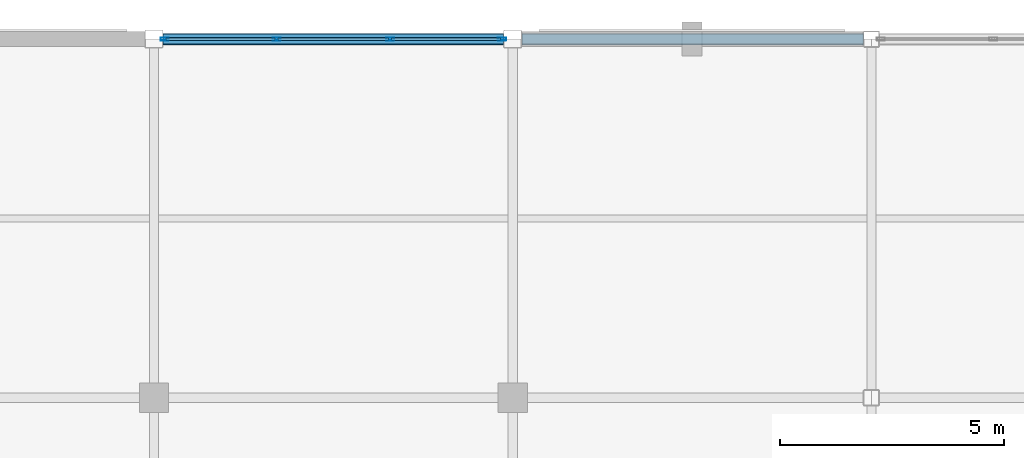
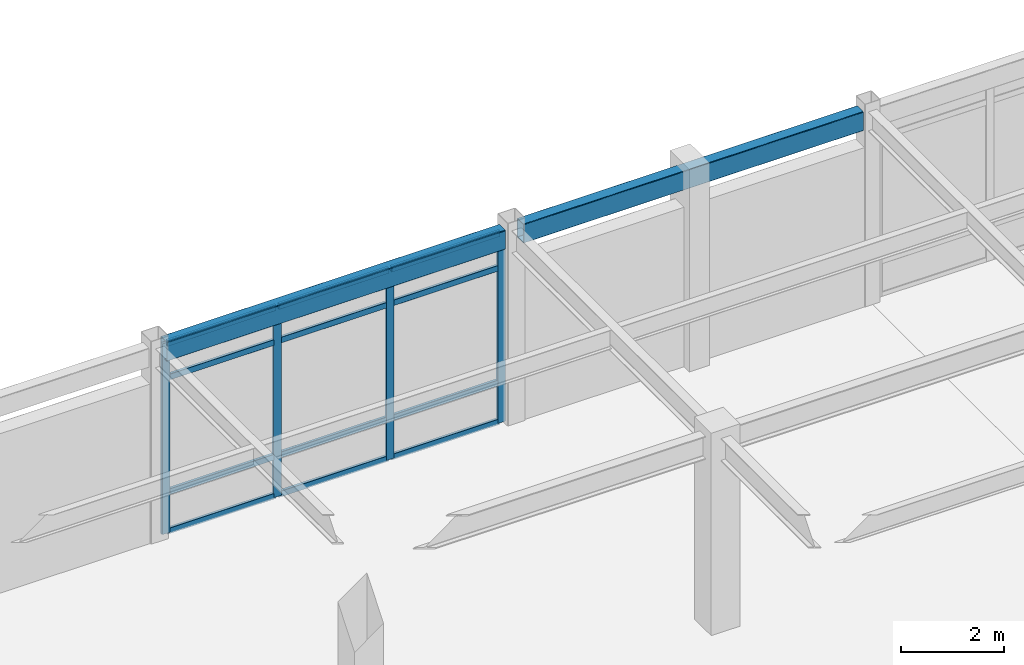
# One storey, part 65 of 117: 16 members, 2 beams, 1 element without a shape of its own.
"""IFC4 building model written with IfcOpenShell, lengths in metres."""

from ifc_helpers import new_model, si_unit, direction, frame, origin, origin_2d, place, context, subcontext, project, spatial, hollow_rectangle, extrude, material, material_profile, profile_set, type_object, element, aggregate, save


model = new_model("IFC4")

# Units and contexts
model_context = context("Model", 3, precision=1e-05, world=origin(), true_north=direction((0.0, 1.0)))
body_context = subcontext(model_context, "Body", "Model", "MODEL_VIEW")
ifc_project = project(units=[si_unit("LENGTHUNIT", "METRE"), si_unit("AREAUNIT", "SQUARE_METRE"), si_unit("VOLUMEUNIT", "CUBIC_METRE"), si_unit("PLANEANGLEUNIT", "RADIAN"), si_unit("MASSUNIT", "GRAM", prefix="KILO")], contexts=[model_context])

# Site, building, storey
site_placement = place(None, origin())
site = spatial("IfcSite", under=ifc_project, at=site_placement, CompositionType="ELEMENT")
building_placement = place(site_placement, origin())
building = spatial("IfcBuilding", under=site, at=building_placement, Name="Solmirada Galleria", CompositionType="ELEMENT")
storey_placement = place(building_placement, frame((0.0, 0.0, 5.60009765625)))
storey = spatial("IfcBuildingStorey", under=building, at=storey_placement, Name="L01", CompositionType="ELEMENT", Elevation=5.60009765625)

# Beams
ifc_material_1 = material(Name="Steel S355 / ASTM A500 Grade C", Category="steel")
ifc_material_profile_1 = material_profile(ifc_material_1, hollow_rectangle(XDim=0.25390625, YDim=0.45703125, WallThickness=0.01171875, InnerFilletRadius=0.01171875, OuterFilletRadius=0.023681640625, at=origin_2d()), Name="HSS18X10X1/2")
ifc_profile_set_1 = profile_set([ifc_material_profile_1], Name="Steel S355 / ASTM A500 Grade C")
beam_type = type_object("IfcBeamType", Name="BM-SPAND-W18", PredefinedType="SPANDREL", material=ifc_profile_set_1)
beam_1_placement = place(storey_placement, frame((104.202880859375, 120.0, 4.371337890625), z_axis=(1.0, 0.0, 0.0), x_axis=(0.0, 1.0, 0.0)))
element("IfcBeam", 1, at=beam_1_placement, inside=storey, type_object=beam_type, Name="Primary beam L02 X(104..112, 120)", PredefinedType="SPANDREL", context=body_context, shape_type="SweptSolid", body=[
    extrude(hollow_rectangle(XDim=0.25390625, YDim=0.45703125, WallThickness=0.01171875, InnerFilletRadius=0.01171875, OuterFilletRadius=0.023681640625, at=origin_2d()), origin(), (0.0, 0.0, 1.0), 7.59423828125),
])
beam_2_placement = place(storey_placement, frame((112.202880859375, 120.0, 4.371337890625), z_axis=(1.0, 0.0, 0.0), x_axis=(0.0, 1.0, 0.0)))
element("IfcBeam", 2, at=beam_2_placement, inside=storey, type_object=beam_type, Name="Primary beam L02 X(112..120, 120)", PredefinedType="SPANDREL", context=body_context, shape_type="SweptSolid", body=[
    extrude(hollow_rectangle(XDim=0.25390625, YDim=0.45703125, WallThickness=0.01171875, InnerFilletRadius=0.01171875, OuterFilletRadius=0.023681640625, at=origin_2d()), origin(), (0.0, 0.0, 1.0), 7.619140625),
])

# Curtain wall, members
ifc_material_2 = material(Name="Impact-resistant low-E double glazing", Category="glass")
curtain_wall_type = type_object("IfcCurtainWallType", Name="CW-FZ4-L01-B3-L076", PredefinedType="NOTDEFINED", material=ifc_material_2)
curtain_wall_placement = place(storey_placement, origin())
curtain_wall = element("IfcCurtainWall", 3, at=curtain_wall_placement, inside=storey, type_object=curtain_wall_type, Name="Terrace and arcade storefront CW-L01-055", PredefinedType="NOTDEFINED")
ifc_material_3 = material(Name="Anodised aluminium framing", Category="aluminium")
ifc_material_profile_2 = material_profile(ifc_material_3, hollow_rectangle(XDim=0.06494140625, YDim=0.179931640625, WallThickness=0.00390625, InnerFilletRadius=0.00390625, OuterFilletRadius=0.008056640625, at=origin_2d()), Name="ALU-MULL-180X65")
ifc_profile_set_2 = profile_set([ifc_material_profile_2], Name="Anodised aluminium framing")
member_type_1 = type_object("IfcMemberType", Name="CW-MULL-180", PredefinedType="MULLION", material=ifc_profile_set_2)
member_1_placement = place(storey_placement, frame((104.237548828125, 120.0, 0.0), z_axis=(0.0, 0.0, 1.0), x_axis=(0.0, 1.0, 0.0)))
member_1 = element("IfcMember", 4, at=member_1_placement, type_object=member_type_1, Name="CW14 mullion 1", PredefinedType="MULLION", context=body_context, shape_type="SweptSolid", body=[
    extrude(hollow_rectangle(XDim=0.06494140625, YDim=0.179931640625, WallThickness=0.00390625, InnerFilletRadius=0.00390625, OuterFilletRadius=0.008056640625, at=origin_2d()), origin(), (0.0, 0.0, 1.0), 4.52001953125),
])
member_2_placement = place(storey_placement, frame((106.735107421875, 120.0, 0.0), z_axis=(0.0, 0.0, 1.0), x_axis=(0.0, 1.0, 0.0)))
member_2 = element("IfcMember", 5, at=member_2_placement, type_object=member_type_1, Name="CW14 mullion 2", PredefinedType="MULLION", context=body_context, shape_type="SweptSolid", body=[
    extrude(hollow_rectangle(XDim=0.06494140625, YDim=0.179931640625, WallThickness=0.00390625, InnerFilletRadius=0.00390625, OuterFilletRadius=0.008056640625, at=origin_2d()), origin(), (0.0, 0.0, 1.0), 4.52001953125),
])
member_3_placement = place(storey_placement, frame((109.264892578125, 120.0, 0.0), z_axis=(0.0, 0.0, 1.0), x_axis=(0.0, 1.0, 0.0)))
member_3 = element("IfcMember", 6, at=member_3_placement, type_object=member_type_1, Name="CW14 mullion 3", PredefinedType="MULLION", context=body_context, shape_type="SweptSolid", body=[
    extrude(hollow_rectangle(XDim=0.06494140625, YDim=0.179931640625, WallThickness=0.00390625, InnerFilletRadius=0.00390625, OuterFilletRadius=0.008056640625, at=origin_2d()), origin(), (0.0, 0.0, 1.0), 4.52001953125),
])
member_4_placement = place(storey_placement, frame((111.762451171875, 120.0, 0.0), z_axis=(0.0, 0.0, 1.0), x_axis=(0.0, 1.0, 0.0)))
member_4 = element("IfcMember", 7, at=member_4_placement, type_object=member_type_1, Name="CW14 mullion 4", PredefinedType="MULLION", context=body_context, shape_type="SweptSolid", body=[
    extrude(hollow_rectangle(XDim=0.06494140625, YDim=0.179931640625, WallThickness=0.00390625, InnerFilletRadius=0.00390625, OuterFilletRadius=0.008056640625, at=origin_2d()), origin(), (0.0, 0.0, 1.0), 4.52001953125),
])
ifc_material_profile_3 = material_profile(ifc_material_3, hollow_rectangle(XDim=0.06494140625, YDim=0.139892578125, WallThickness=0.00341796875, InnerFilletRadius=0.00341796875, OuterFilletRadius=0.007080078125, at=origin_2d()), Name="ALU-TRAN-140X65")
ifc_profile_set_3 = profile_set([ifc_material_profile_3], Name="Anodised aluminium framing")
member_type_2 = type_object("IfcMemberType", Name="CW-TRAN-140", PredefinedType="USERDEFINED", material=ifc_profile_set_3)
member_5_placement = place(storey_placement, frame((104.27001953125, 120.0, 0.032470703125), z_axis=(1.0, 0.0, 0.0), x_axis=(0.0, 1.0, 0.0)))
member_5 = element("IfcMember", 8, at=member_5_placement, type_object=member_type_2, Name="CW14 transom 1.1", ObjectType="TRANSOM", PredefinedType="USERDEFINED", context=body_context, shape_type="SweptSolid", body=[
    extrude(hollow_rectangle(XDim=0.06494140625, YDim=0.139892578125, WallThickness=0.00341796875, InnerFilletRadius=0.00341796875, OuterFilletRadius=0.007080078125, at=origin_2d()), origin(), (0.0, 0.0, 1.0), 2.432373046875),
])
member_6_placement = place(storey_placement, frame((104.27001953125, 120.0, 0.9599609375), z_axis=(1.0, 0.0, 0.0), x_axis=(0.0, 1.0, 0.0)))
member_6 = element("IfcMember", 9, at=member_6_placement, type_object=member_type_2, Name="CW14 transom 1.2", ObjectType="TRANSOM", PredefinedType="USERDEFINED", context=body_context, shape_type="SweptSolid", body=[
    extrude(hollow_rectangle(XDim=0.06494140625, YDim=0.139892578125, WallThickness=0.00341796875, InnerFilletRadius=0.00341796875, OuterFilletRadius=0.007080078125, at=origin_2d()), origin(), (0.0, 0.0, 1.0), 2.432373046875),
])
member_7_placement = place(storey_placement, frame((104.27001953125, 120.0, 3.679931640625), z_axis=(1.0, 0.0, 0.0), x_axis=(0.0, 1.0, 0.0)))
member_7 = element("IfcMember", 10, at=member_7_placement, type_object=member_type_2, Name="CW14 transom 1.3", ObjectType="TRANSOM", PredefinedType="USERDEFINED", context=body_context, shape_type="SweptSolid", body=[
    extrude(hollow_rectangle(XDim=0.06494140625, YDim=0.139892578125, WallThickness=0.00341796875, InnerFilletRadius=0.00341796875, OuterFilletRadius=0.007080078125, at=origin_2d()), origin(), (0.0, 0.0, 1.0), 2.432373046875),
])
member_8_placement = place(storey_placement, frame((104.27001953125, 120.0, 4.4873046875), z_axis=(1.0, 0.0, 0.0), x_axis=(0.0, 1.0, 0.0)))
member_8 = element("IfcMember", 11, at=member_8_placement, type_object=member_type_2, Name="CW14 transom 1.4", ObjectType="TRANSOM", PredefinedType="USERDEFINED", context=body_context, shape_type="SweptSolid", body=[
    extrude(hollow_rectangle(XDim=0.06494140625, YDim=0.139892578125, WallThickness=0.00341796875, InnerFilletRadius=0.00341796875, OuterFilletRadius=0.007080078125, at=origin_2d()), origin(), (0.0, 0.0, 1.0), 2.432373046875),
])
member_9_placement = place(storey_placement, frame((106.767578125, 120.0, 0.032470703125), z_axis=(1.0, 0.0, 0.0), x_axis=(0.0, 1.0, 0.0)))
member_9 = element("IfcMember", 12, at=member_9_placement, type_object=member_type_2, Name="CW14 transom 2.1", ObjectType="TRANSOM", PredefinedType="USERDEFINED", context=body_context, shape_type="SweptSolid", body=[
    extrude(hollow_rectangle(XDim=0.06494140625, YDim=0.139892578125, WallThickness=0.00341796875, InnerFilletRadius=0.00341796875, OuterFilletRadius=0.007080078125, at=origin_2d()), origin(), (0.0, 0.0, 1.0), 2.46484375),
])
member_10_placement = place(storey_placement, frame((106.767578125, 120.0, 0.9599609375), z_axis=(1.0, 0.0, 0.0), x_axis=(0.0, 1.0, 0.0)))
member_10 = element("IfcMember", 13, at=member_10_placement, type_object=member_type_2, Name="CW14 transom 2.2", ObjectType="TRANSOM", PredefinedType="USERDEFINED", context=body_context, shape_type="SweptSolid", body=[
    extrude(hollow_rectangle(XDim=0.06494140625, YDim=0.139892578125, WallThickness=0.00341796875, InnerFilletRadius=0.00341796875, OuterFilletRadius=0.007080078125, at=origin_2d()), origin(), (0.0, 0.0, 1.0), 2.46484375),
])
member_11_placement = place(storey_placement, frame((106.767578125, 120.0, 3.679931640625), z_axis=(1.0, 0.0, 0.0), x_axis=(0.0, 1.0, 0.0)))
member_11 = element("IfcMember", 14, at=member_11_placement, type_object=member_type_2, Name="CW14 transom 2.3", ObjectType="TRANSOM", PredefinedType="USERDEFINED", context=body_context, shape_type="SweptSolid", body=[
    extrude(hollow_rectangle(XDim=0.06494140625, YDim=0.139892578125, WallThickness=0.00341796875, InnerFilletRadius=0.00341796875, OuterFilletRadius=0.007080078125, at=origin_2d()), origin(), (0.0, 0.0, 1.0), 2.46484375),
])
member_12_placement = place(storey_placement, frame((106.767578125, 120.0, 4.4873046875), z_axis=(1.0, 0.0, 0.0), x_axis=(0.0, 1.0, 0.0)))
member_12 = element("IfcMember", 15, at=member_12_placement, type_object=member_type_2, Name="CW14 transom 2.4", ObjectType="TRANSOM", PredefinedType="USERDEFINED", context=body_context, shape_type="SweptSolid", body=[
    extrude(hollow_rectangle(XDim=0.06494140625, YDim=0.139892578125, WallThickness=0.00341796875, InnerFilletRadius=0.00341796875, OuterFilletRadius=0.007080078125, at=origin_2d()), origin(), (0.0, 0.0, 1.0), 2.46484375),
])
member_13_placement = place(storey_placement, frame((109.297607421875, 120.0, 0.032470703125), z_axis=(1.0, 0.0, 0.0), x_axis=(0.0, 1.0, 0.0)))
member_13 = element("IfcMember", 16, at=member_13_placement, type_object=member_type_2, Name="CW14 transom 3.1", ObjectType="TRANSOM", PredefinedType="USERDEFINED", context=body_context, shape_type="SweptSolid", body=[
    extrude(hollow_rectangle(XDim=0.06494140625, YDim=0.139892578125, WallThickness=0.00341796875, InnerFilletRadius=0.00341796875, OuterFilletRadius=0.007080078125, at=origin_2d()), origin(), (0.0, 0.0, 1.0), 2.432373046875),
])
member_14_placement = place(storey_placement, frame((109.297607421875, 120.0, 0.9599609375), z_axis=(1.0, 0.0, 0.0), x_axis=(0.0, 1.0, 0.0)))
member_14 = element("IfcMember", 17, at=member_14_placement, type_object=member_type_2, Name="CW14 transom 3.2", ObjectType="TRANSOM", PredefinedType="USERDEFINED", context=body_context, shape_type="SweptSolid", body=[
    extrude(hollow_rectangle(XDim=0.06494140625, YDim=0.139892578125, WallThickness=0.00341796875, InnerFilletRadius=0.00341796875, OuterFilletRadius=0.007080078125, at=origin_2d()), origin(), (0.0, 0.0, 1.0), 2.432373046875),
])
member_15_placement = place(storey_placement, frame((109.297607421875, 120.0, 3.679931640625), z_axis=(1.0, 0.0, 0.0), x_axis=(0.0, 1.0, 0.0)))
member_15 = element("IfcMember", 18, at=member_15_placement, type_object=member_type_2, Name="CW14 transom 3.3", ObjectType="TRANSOM", PredefinedType="USERDEFINED", context=body_context, shape_type="SweptSolid", body=[
    extrude(hollow_rectangle(XDim=0.06494140625, YDim=0.139892578125, WallThickness=0.00341796875, InnerFilletRadius=0.00341796875, OuterFilletRadius=0.007080078125, at=origin_2d()), origin(), (0.0, 0.0, 1.0), 2.432373046875),
])
member_16_placement = place(storey_placement, frame((109.297607421875, 120.0, 4.4873046875), z_axis=(1.0, 0.0, 0.0), x_axis=(0.0, 1.0, 0.0)))
member_16 = element("IfcMember", 19, at=member_16_placement, type_object=member_type_2, Name="CW14 transom 3.4", ObjectType="TRANSOM", PredefinedType="USERDEFINED", context=body_context, shape_type="SweptSolid", body=[
    extrude(hollow_rectangle(XDim=0.06494140625, YDim=0.139892578125, WallThickness=0.00341796875, InnerFilletRadius=0.00341796875, OuterFilletRadius=0.007080078125, at=origin_2d()), origin(), (0.0, 0.0, 1.0), 2.432373046875),
])
aggregate(curtain_wall, [member_1, member_2, member_3, member_4, member_5, member_6, member_7, member_8, member_9, member_10, member_11, member_12, member_13, member_14, member_15, member_16])

save(model, "model.ifc")
